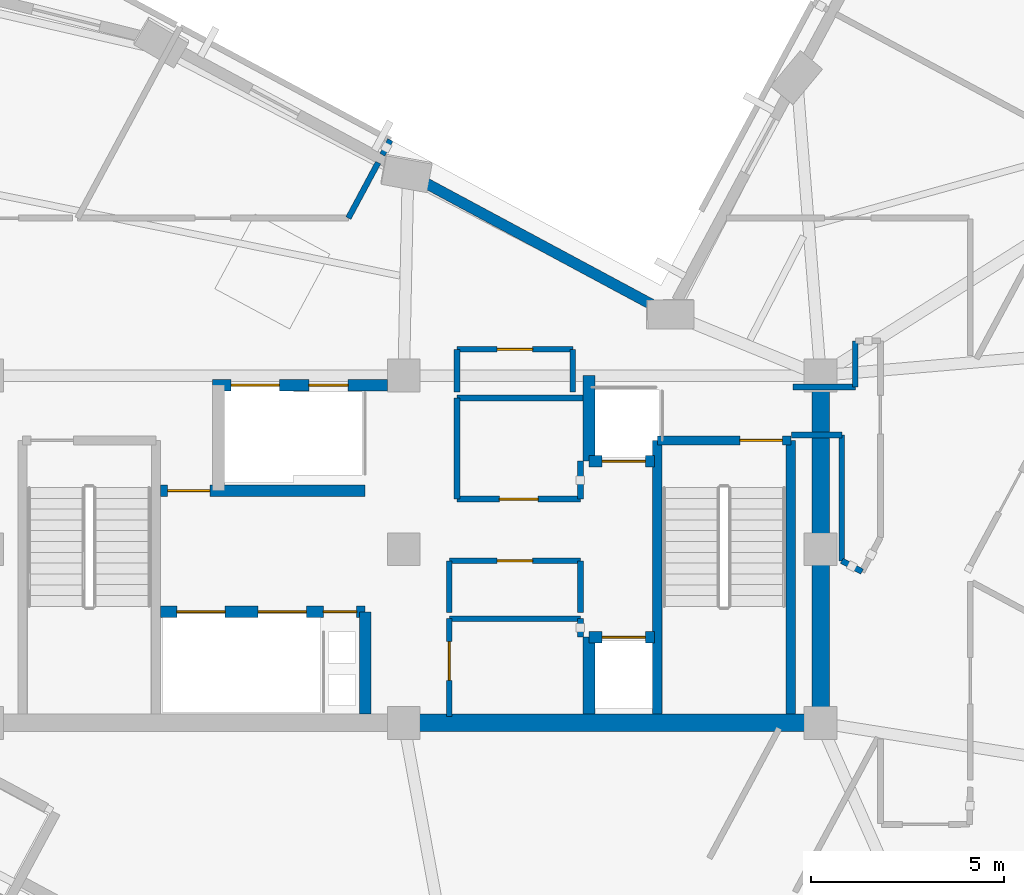
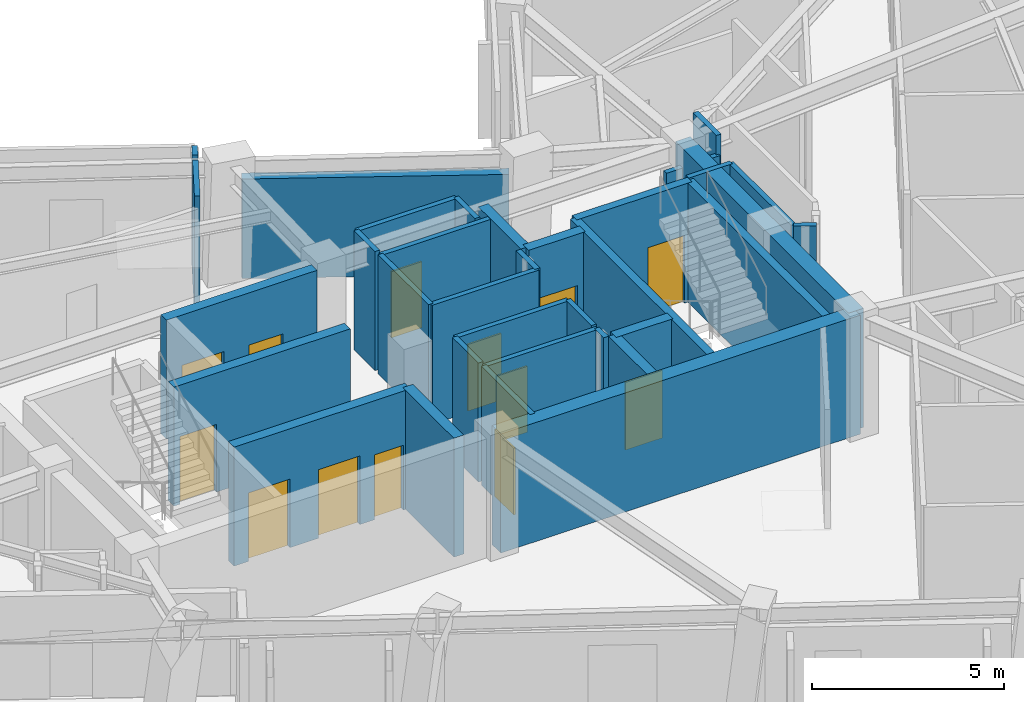
# One storey, part 7 of 14: 34 walls, 13 doors, 13 openings.
"""IFC4 building model written with IfcOpenShell, lengths in metres."""

from ifc_helpers import new_model, si_unit, direction, frame, frame_2d, origin, place, context, subcontext, project, spatial, rectangle, extrude, material, layer, layer_set, type_object, element, fill, save


model = new_model("IFC4")

# Units and contexts
model_context = context("Model", 3, precision=1e-05, world=origin(), true_north=direction((0.0, 1.0)))
body_context = subcontext(model_context, "Body", "Model", "MODEL_VIEW")
ifc_project = project(units=[si_unit("LENGTHUNIT", "METRE"), si_unit("AREAUNIT", "SQUARE_METRE"), si_unit("VOLUMEUNIT", "CUBIC_METRE"), si_unit("PLANEANGLEUNIT", "RADIAN"), si_unit("MASSUNIT", "GRAM", prefix="KILO")], contexts=[model_context])

# Site, building, storey
site_placement = place(None, origin())
site = spatial("IfcSite", under=ifc_project, at=site_placement, CompositionType="ELEMENT")
building_placement = place(site_placement, origin())
building = spatial("IfcBuilding", under=site, at=building_placement, Name="Gaonmaruhae Medical Tower", CompositionType="ELEMENT")
storey_placement = place(building_placement, frame((0.0, 0.0, 288.60009765625)))
storey = spatial("IfcBuildingStorey", under=building, at=storey_placement, Name="L69", CompositionType="ELEMENT", Elevation=288.60009765625)

# Walls
ifc_material_1 = material(Name="Concrete C50/60", Category="concrete")
ifc_layer_1 = layer(ifc_material_1, 0.449951171875)
ifc_layer_set_1 = layer_set([ifc_layer_1], Name="Concrete C50/60")
wall_type_1 = type_object("IfcWallType", Name="CW-450 Upper Core Shear Wall", PredefinedType="SHEAR", material=ifc_layer_set_1)
wall_1_placement = place(storey_placement, frame((24.800048828125, 7.800048828125, 0.0), z_axis=(0.0, 0.0, 1.0), x_axis=(1.0, 0.0, 0.0)))
element("IfcWall", 1, at=wall_1_placement, inside=storey, type_object=wall_type_1, Name="L69 Core Shear Wall CSW-S2", PredefinedType="SHEAR", context=body_context, shape_type="SweptSolid", body=[
    extrude(rectangle(XDim=10.800048828125, YDim=0.449951171875, at=frame_2d((5.39990234375, 0.0))), origin(), (0.0, 0.0, 1.0), 3.77978515625),
])
wall_2_placement = place(storey_placement, frame((35.60009765625, 7.800048828125, 0.0), z_axis=(0.0, 0.0, 1.0), x_axis=(0.0, 1.0, 0.0)))
element("IfcWall", 2, at=wall_2_placement, inside=storey, type_object=wall_type_1, Name="L69 Core Shear Wall CSW-E1", PredefinedType="SHEAR", context=body_context, shape_type="SweptSolid", body=[
    extrude(rectangle(XDim=9.0, YDim=0.449951171875, at=frame_2d((4.5, 0.0))), origin(), (0.0, 0.0, 1.0), 3.77978515625),
])
ifc_material_2 = material(Name="Precast concrete C45/55", Category="concrete")
ifc_layer_2 = layer(ifc_material_2, 0.280029296875)
ifc_layer_set_2 = layer_set([ifc_layer_2], Name="Precast concrete C45/55")
wall_type_2 = type_object("IfcWallType", Name="EW-280 Upper Precast Masonry-Frame Facade Wall", PredefinedType="SOLIDWALL", material=ifc_layer_set_2)
wall_3_placement = place(storey_placement, frame((25.25732421875, 21.846923828125, 0.0), z_axis=(0.0, 0.0, 1.0), x_axis=(0.880904495482, -0.473294062756, 0.0)))
element("IfcWall", 3, at=wall_3_placement, inside=storey, type_object=wall_type_2, Name="L69 Precast Masonry-Frame Wall KN01-NE01", PredefinedType="SOLIDWALL", context=body_context, shape_type="SweptSolid", body=[
    extrude(rectangle(XDim=6.9580078125, YDim=0.280029296875, at=frame_2d((3.47900390625, 0.0))), origin(), (0.0, 0.0, 1.0), 3.164794921875),
])

# Wall, opening, door
ifc_material_3 = material(Name="Gypsum board partition", Category="gypsum")
ifc_layer_3 = layer(ifc_material_3, 0.14990234375)
ifc_layer_set_3 = layer_set([ifc_layer_3], Name="Gypsum board partition")
wall_type_3 = type_object("IfcWallType", Name="PW-150 Rated Clinical Corridor Partition", PredefinedType="PARTITIONING", material=ifc_layer_set_3)
wall_4_placement = place(storey_placement, frame((25.97998046875, 7.9599609375, 0.0), z_axis=(0.0, 0.0, 1.0), x_axis=(0.0, 1.0, 0.0)))
wall_4 = element("IfcWall", 4, at=wall_4_placement, inside=storey, type_object=wall_type_3, Name="L69 Interior Partition L69-RCL1-1", PredefinedType="PARTITIONING", context=body_context, shape_type="SweptSolid", body=[
    extrude(rectangle(XDim=2.5400390625, YDim=0.14990234375, at=frame_2d((1.27001953125, 0.0))), origin(), (0.0, 0.0, 1.0), 3.77978515625),
])
opening_1_placement = place(wall_4_placement, frame((0.945068359375, 0.0, 0.0)))
opening_1 = element("IfcOpeningElement", 5, at=opening_1_placement, cuts=wall_4, Name="Opening CD-01", PredefinedType="OPENING", context=body_context, shape_type="SweptSolid", body=[
    extrude(rectangle(XDim=1.0, YDim=2.1201171875, at=frame_2d((0.5, 1.06005859375))), frame((0.0, 0.0849609375, 0.0), z_axis=(0.0, -1.0, 0.0), x_axis=(1.0, 0.0, 0.0)), (0.0, 0.0, 1.0), 0.169921875),
])
ifc_material_4 = material(Name="Antimicrobial laminate timber fire door", Category="wood")
door_type_1 = type_object("IfcDoorType", Name="CD-01 Consultation & Physician Office Door 1000x2120", OperationType="NOTDEFINED", PredefinedType="DOOR", material=ifc_material_4)
door_1_placement = place(opening_1_placement, origin())
door_1 = element("IfcDoor", 6, at=door_1_placement, inside=storey, type_object=door_type_1, Name="L69 Clinical Telemetry and Medication Room Door", OperationType="SINGLE_SWING_RIGHT", OverallHeight=2.1201171875, OverallWidth=1.0, PredefinedType="DOOR", context=body_context, shape_type="SweptSolid", body=[
    extrude(rectangle(XDim=1.0, YDim=2.1201171875, at=frame_2d((0.5, 1.06005859375))), frame((0.0, 0.02490234375, 0.0), z_axis=(0.0, -1.0, 0.0), x_axis=(1.0, 0.0, 0.0)), (0.0, 0.0, 1.0), 0.050048828125),
])
fill(opening_1, door_1)

# Walls
wall_5_placement = place(storey_placement, frame((25.97998046875, 10.5, 0.0), z_axis=(0.0, 0.0, 1.0), x_axis=(1.0, 0.0, 0.0)))
element("IfcWall", 7, at=wall_5_placement, inside=storey, type_object=wall_type_3, Name="L69 Interior Partition L69-RCL1-2", PredefinedType="PARTITIONING", context=body_context, shape_type="SweptSolid", body=[
    extrude(rectangle(XDim=3.39990234375, YDim=0.14990234375, at=frame_2d((1.699951171875, 0.0))), origin(), (0.0, 0.0, 1.0), 3.77978515625),
])
wall_6_placement = place(storey_placement, frame((29.3798828125, 10.5, 0.0), z_axis=(0.0, 0.0, 1.0), x_axis=(0.0, -1.0, 0.0)))
element("IfcWall", 8, at=wall_6_placement, inside=storey, type_object=wall_type_3, Name="L69 Interior Partition L69-RCL1-3", PredefinedType="PARTITIONING", context=body_context, shape_type="SweptSolid", body=[
    extrude(rectangle(XDim=0.47998046875, YDim=0.14990234375, at=frame_2d((0.239990234375, 0.0))), origin(), (0.0, 0.0, 1.0), 3.77978515625),
])
wall_7_placement = place(storey_placement, frame((25.97998046875, 10.659912109375, 0.0), z_axis=(0.0, 0.0, 1.0), x_axis=(0.0, 1.0, 0.0)))
element("IfcWall", 9, at=wall_7_placement, inside=storey, type_object=wall_type_3, Name="L69 Interior Partition L69-CS1-4", PredefinedType="PARTITIONING", context=body_context, shape_type="SweptSolid", body=[
    extrude(rectangle(XDim=1.340087890625, YDim=0.14990234375, at=frame_2d((0.669921875, 0.0))), origin(), (0.0, 0.0, 1.0), 3.77978515625),
])

# Wall, opening, door
wall_8_placement = place(storey_placement, frame((25.97998046875, 12.0, 0.0), z_axis=(0.0, 0.0, 1.0), x_axis=(1.0, 0.0, 0.0)))
wall_8 = element("IfcWall", 10, at=wall_8_placement, inside=storey, type_object=wall_type_3, Name="L69 Interior Partition L69-CS1-5", PredefinedType="PARTITIONING", context=body_context, shape_type="SweptSolid", body=[
    extrude(rectangle(XDim=3.39990234375, YDim=0.14990234375, at=frame_2d((1.699951171875, 0.0))), origin(), (0.0, 0.0, 1.0), 3.77978515625),
])
opening_2_placement = place(wall_8_placement, frame((1.239990234375, 0.0, 0.0)))
opening_2 = element("IfcOpeningElement", 11, at=opening_2_placement, cuts=wall_8, Name="Opening UD-01", PredefinedType="OPENING", context=body_context, shape_type="SweptSolid", body=[
    extrude(rectangle(XDim=0.919921875, YDim=2.10009765625, at=frame_2d((0.4599609375, 1.050048828125))), frame((0.0, 0.0849609375, 0.0), z_axis=(0.0, -1.0, 0.0), x_axis=(1.0, 0.0, 0.0)), (0.0, 0.0, 1.0), 0.169921875),
])
ifc_material_5 = material(Name="Powder-coated steel utility door", Category="steel")
door_type_2 = type_object("IfcDoorType", Name="UD-01 Toilet, Utility & Housekeeping Door 920x2100", OperationType="NOTDEFINED", PredefinedType="DOOR", material=ifc_material_5)
door_2_placement = place(opening_2_placement, origin())
door_2 = element("IfcDoor", 12, at=door_2_placement, inside=storey, type_object=door_type_2, Name="L69 Accessible Staff Toilet Door", OperationType="SINGLE_SWING_LEFT", OverallHeight=2.10009765625, OverallWidth=0.919921875, PredefinedType="DOOR", context=body_context, shape_type="SweptSolid", body=[
    extrude(rectangle(XDim=0.919921875, YDim=2.10009765625, at=frame_2d((0.4599609375, 1.050048828125))), frame((0.0, 0.02490234375, 0.0), z_axis=(0.0, -1.0, 0.0), x_axis=(1.0, 0.0, 0.0)), (0.0, 0.0, 1.0), 0.050048828125),
])
fill(opening_2, door_2)

# Walls
wall_9_placement = place(storey_placement, frame((29.3798828125, 12.0, 0.0), z_axis=(0.0, 0.0, 1.0), x_axis=(0.0, -1.0, 0.0)))
element("IfcWall", 13, at=wall_9_placement, inside=storey, type_object=wall_type_3, Name="L69 Interior Partition L69-CS1-6", PredefinedType="PARTITIONING", context=body_context, shape_type="SweptSolid", body=[
    extrude(rectangle(XDim=1.340087890625, YDim=0.14990234375, at=frame_2d((0.669921875, 0.0))), origin(), (0.0, 0.0, 1.0), 3.77978515625),
])
wall_10_placement = place(storey_placement, frame((26.179931640625, 13.60009765625, 0.0), z_axis=(0.0, 0.0, 1.0), x_axis=(0.0, 1.0, 0.0)))
element("IfcWall", 14, at=wall_10_placement, inside=storey, type_object=wall_type_3, Name="L69 Interior Partition L69-RCL2-7", PredefinedType="PARTITIONING", context=body_context, shape_type="SweptSolid", body=[
    extrude(rectangle(XDim=2.619873046875, YDim=0.14990234375, at=frame_2d((1.31005859375, 0.0))), origin(), (0.0, 0.0, 1.0), 3.77978515625),
])
wall_11_placement = place(storey_placement, frame((26.179931640625, 16.219970703125, 0.0), z_axis=(0.0, 0.0, 1.0), x_axis=(1.0, 0.0, 0.0)))
element("IfcWall", 15, at=wall_11_placement, inside=storey, type_object=wall_type_3, Name="L69 Interior Partition L69-RCL2-8", PredefinedType="PARTITIONING", context=body_context, shape_type="SweptSolid", body=[
    extrude(rectangle(XDim=3.260009765625, YDim=0.14990234375, at=frame_2d((1.6298828125, 0.0))), origin(), (0.0, 0.0, 1.0), 3.77978515625),
])
wall_12_placement = place(storey_placement, frame((29.3798828125, 14.580078125, 0.0), z_axis=(0.0, 0.0, 1.0), x_axis=(0.0, -1.0, 0.0)))
element("IfcWall", 16, at=wall_12_placement, inside=storey, type_object=wall_type_3, Name="L69 Interior Partition L69-RCL2-9", PredefinedType="PARTITIONING", context=body_context, shape_type="SweptSolid", body=[
    extrude(rectangle(XDim=0.97998046875, YDim=0.14990234375, at=frame_2d((0.489990234375, 0.0))), origin(), (0.0, 0.0, 1.0), 3.77978515625),
])

# Wall, opening, door
wall_13_placement = place(storey_placement, frame((29.3798828125, 13.60009765625, 0.0), z_axis=(0.0, 0.0, 1.0), x_axis=(-1.0, 0.0, 0.0)))
wall_13 = element("IfcWall", 17, at=wall_13_placement, inside=storey, type_object=wall_type_3, Name="L69 Interior Partition L69-RCL2-10", PredefinedType="PARTITIONING", context=body_context, shape_type="SweptSolid", body=[
    extrude(rectangle(XDim=3.199951171875, YDim=0.14990234375, at=frame_2d((1.60009765625, 0.0))), origin(), (0.0, 0.0, 1.0), 3.77978515625),
])
opening_3_placement = place(wall_13_placement, frame((1.10009765625, 0.0, 0.0)))
opening_3 = element("IfcOpeningElement", 18, at=opening_3_placement, cuts=wall_13, Name="Opening CD-01", PredefinedType="OPENING", context=body_context, shape_type="SweptSolid", body=[
    extrude(rectangle(XDim=1.0, YDim=2.1201171875, at=frame_2d((0.5, 1.06005859375))), frame((0.0, 0.0849609375, 0.0), z_axis=(0.0, -1.0, 0.0), x_axis=(1.0, 0.0, 0.0)), (0.0, 0.0, 1.0), 0.169921875),
])
door_3_placement = place(opening_3_placement, origin())
door_3 = element("IfcDoor", 19, at=door_3_placement, inside=storey, type_object=door_type_1, Name="L69 High-Zone Specialist Pharmacy Prep Room Door", OperationType="SINGLE_SWING_LEFT", OverallHeight=2.1201171875, OverallWidth=1.0, PredefinedType="DOOR", context=body_context, shape_type="SweptSolid", body=[
    extrude(rectangle(XDim=1.0, YDim=2.1201171875, at=frame_2d((0.5, 1.06005859375))), frame((0.0, 0.02490234375, 0.0), z_axis=(0.0, -1.0, 0.0), x_axis=(1.0, 0.0, 0.0)), (0.0, 0.0, 1.0), 0.050048828125),
])
fill(opening_3, door_3)

# Wall
wall_14_placement = place(storey_placement, frame((26.179931640625, 16.3798828125, 0.0), z_axis=(0.0, 0.0, 1.0), x_axis=(0.0, 1.0, 0.0)))
element("IfcWall", 20, at=wall_14_placement, inside=storey, type_object=wall_type_3, Name="L69 Interior Partition L69-CS2-11", PredefinedType="PARTITIONING", context=body_context, shape_type="SweptSolid", body=[
    extrude(rectangle(XDim=1.10009765625, YDim=0.14990234375, at=frame_2d((0.550048828125, 0.0))), origin(), (0.0, 0.0, 1.0), 3.77978515625),
])

# Wall, opening, door
wall_15_placement = place(storey_placement, frame((26.179931640625, 17.47998046875, 0.0), z_axis=(0.0, 0.0, 1.0), x_axis=(1.0, 0.0, 0.0)))
wall_15 = element("IfcWall", 21, at=wall_15_placement, inside=storey, type_object=wall_type_3, Name="L69 Interior Partition L69-CS2-12", PredefinedType="PARTITIONING", context=body_context, shape_type="SweptSolid", body=[
    extrude(rectangle(XDim=3.0, YDim=0.14990234375, at=frame_2d((1.5, 0.0))), origin(), (0.0, 0.0, 1.0), 3.77978515625),
])
opening_4_placement = place(wall_15_placement, frame((1.0400390625, 0.0, 0.0)))
opening_4 = element("IfcOpeningElement", 22, at=opening_4_placement, cuts=wall_15, Name="Opening UD-01", PredefinedType="OPENING", context=body_context, shape_type="SweptSolid", body=[
    extrude(rectangle(XDim=0.919921875, YDim=2.10009765625, at=frame_2d((0.4599609375, 1.050048828125))), frame((0.0, 0.0849609375, 0.0), z_axis=(0.0, -1.0, 0.0), x_axis=(1.0, 0.0, 0.0)), (0.0, 0.0, 1.0), 0.169921875),
])
door_4_placement = place(opening_4_placement, origin())
door_4 = element("IfcDoor", 23, at=door_4_placement, inside=storey, type_object=door_type_2, Name="L69 Biomedical Telemetry Closet Door", OperationType="SINGLE_SWING_LEFT", OverallHeight=2.10009765625, OverallWidth=0.919921875, PredefinedType="DOOR", context=body_context, shape_type="SweptSolid", body=[
    extrude(rectangle(XDim=0.919921875, YDim=2.10009765625, at=frame_2d((0.4599609375, 1.050048828125))), frame((0.0, 0.02490234375, 0.0), z_axis=(0.0, -1.0, 0.0), x_axis=(1.0, 0.0, 0.0)), (0.0, 0.0, 1.0), 0.050048828125),
])
fill(opening_4, door_4)

# Walls
wall_16_placement = place(storey_placement, frame((29.179931640625, 17.47998046875, 0.0), z_axis=(0.0, 0.0, 1.0), x_axis=(0.0, -1.0, 0.0)))
element("IfcWall", 24, at=wall_16_placement, inside=storey, type_object=wall_type_3, Name="L69 Interior Partition L69-CS2-13", PredefinedType="PARTITIONING", context=body_context, shape_type="SweptSolid", body=[
    extrude(rectangle(XDim=1.10009765625, YDim=0.14990234375, at=frame_2d((0.550048828125, 0.0))), origin(), (0.0, 0.0, 1.0), 3.77978515625),
])
wall_17_placement = place(storey_placement, frame((34.889892578125, 16.5, 0.0), z_axis=(0.0, 0.0, 1.0), x_axis=(1.0, 0.0, 0.0)))
element("IfcWall", 25, at=wall_17_placement, inside=storey, type_object=wall_type_3, Name="L69 Interior Partition L69-IE02-66", PredefinedType="PARTITIONING", context=body_context, shape_type="SweptSolid", body=[
    extrude(rectangle(XDim=1.610107421875, YDim=0.14990234375, at=frame_2d((0.80517578125, 0.0))), origin(), (0.0, 0.0, 1.0), 3.164794921875),
])
wall_18_placement = place(storey_placement, frame((36.5, 16.5, 0.0), z_axis=(0.0, 0.0, 1.0), x_axis=(0.0, 1.0, 0.0)))
element("IfcWall", 26, at=wall_18_placement, inside=storey, type_object=wall_type_3, Name="L69 Interior Partition L69-IE02-67", PredefinedType="PARTITIONING", context=body_context, shape_type="SweptSolid", body=[
    extrude(rectangle(XDim=1.199951171875, YDim=0.14990234375, at=frame_2d((0.60009765625, 0.0))), origin(), (0.0, 0.0, 1.0), 3.77978515625),
])
wall_19_placement = place(storey_placement, frame((36.675048828125, 11.718994140625, 0.0), z_axis=(0.0, 0.0, 1.0), x_axis=(-0.881022881887, 0.473073653454, 0.0)))
element("IfcWall", 27, at=wall_19_placement, inside=storey, type_object=wall_type_3, Name="L69 Interior Partition L69-IE02-71", PredefinedType="PARTITIONING", context=body_context, shape_type="SweptSolid", body=[
    extrude(rectangle(XDim=0.595947265625, YDim=0.14990234375, at=frame_2d((0.2978515625, 0.0))), origin(), (0.0, 0.0, 1.0), 3.77978515625),
])
wall_20_placement = place(storey_placement, frame((36.14990234375, 12.0009765625, 0.0), z_axis=(0.0, 0.0, 1.0), x_axis=(0.0, 1.0, 0.0)))
element("IfcWall", 28, at=wall_20_placement, inside=storey, type_object=wall_type_3, Name="L69 Interior Partition L69-IE02-72", PredefinedType="PARTITIONING", context=body_context, shape_type="SweptSolid", body=[
    extrude(rectangle(XDim=3.259033203125, YDim=0.14990234375, at=frame_2d((1.62939453125, 0.0))), origin(), (0.0, 0.0, 1.0), 3.77978515625),
])
wall_21_placement = place(storey_placement, frame((36.14990234375, 15.260009765625, 0.0), z_axis=(0.0, 0.0, 1.0), x_axis=(-1.0, 0.0, 0.0)))
element("IfcWall", 29, at=wall_21_placement, inside=storey, type_object=wall_type_3, Name="L69 Interior Partition L69-IE02-73", PredefinedType="PARTITIONING", context=body_context, shape_type="SweptSolid", body=[
    extrude(rectangle(XDim=1.2998046875, YDim=0.14990234375, at=frame_2d((0.64990234375, 0.0))), origin(), (0.0, 0.0, 1.0), 3.77978515625),
])
wall_22_placement = place(storey_placement, frame((24.452880859375, 22.904052734375, 0.0), z_axis=(0.0, 0.0, 1.0), x_axis=(-0.472361351168, -0.881404988597, 0.0)))
element("IfcWall", 30, at=wall_22_placement, inside=storey, type_object=wall_type_3, Name="L69 Interior Partition L69-IN02-92", PredefinedType="PARTITIONING", context=body_context, shape_type="SweptSolid", body=[
    extrude(rectangle(XDim=0.435791015625, YDim=0.14990234375, at=frame_2d((0.2177734375, 0.0))), origin(), (0.0, 0.0, 1.0), 3.77978515625),
])
wall_23_placement = place(storey_placement, frame((24.137939453125, 22.318115234375, 0.0), z_axis=(0.0, 0.0, 1.0), x_axis=(-0.472930998807, -0.881099466784, 0.0)))
element("IfcWall", 31, at=wall_23_placement, inside=storey, type_object=wall_type_3, Name="L69 Interior Partition L69-IN02-93", PredefinedType="PARTITIONING", context=body_context, shape_type="SweptSolid", body=[
    extrude(rectangle(XDim=1.63232421875, YDim=0.14990234375, at=frame_2d((0.816162109375, 0.0))), origin(), (0.0, 0.0, 1.0), 3.77978515625),
])

# Wall, opening, door
ifc_layer_4 = layer(ifc_material_1, 0.239990234375)
ifc_layer_set_4 = layer_set([ifc_layer_4], Name="Concrete C50/60")
wall_type_4 = type_object("IfcWallType", Name="SW-240 Dogleg Stair Tight Shaft Wall", PredefinedType="SOLIDWALL", material=ifc_layer_set_4)
wall_24_placement = place(storey_placement, frame((31.3701171875, 15.1201171875, 0.0), z_axis=(0.0, 0.0, 1.0), x_axis=(1.0, 0.0, 0.0)))
wall_24 = element("IfcWall", 32, at=wall_24_placement, inside=storey, type_object=wall_type_4, Name="L69 ST-02 Stair Shaft Wall SHW-ST-02-N", PredefinedType="SOLIDWALL", context=body_context, shape_type="SweptSolid", body=[
    extrude(rectangle(XDim=3.4599609375, YDim=0.239990234375, at=frame_2d((1.72998046875, 0.0))), origin(), (0.0, 0.0, 1.0), 3.77978515625),
])
opening_5_placement = place(wall_24_placement, frame((2.139892578125, 0.0, 0.0)))
opening_5 = element("IfcOpeningElement", 33, at=opening_5_placement, cuts=wall_24, Name="Opening FD-01", PredefinedType="OPENING", context=body_context, shape_type="SweptSolid", body=[
    extrude(rectangle(XDim=1.10009765625, YDim=2.14990234375, at=frame_2d((0.550048828125, 1.074951171875))), frame((0.0, 0.1298828125, 0.0), z_axis=(0.0, -1.0, 0.0), x_axis=(1.0, 0.0, 0.0)), (0.0, 0.0, 1.0), 0.260009765625),
])
ifc_material_6 = material(Name="Powder-coated steel fire door", Category="steel")
door_type_3 = type_object("IfcDoorType", Name="FD-01 Escape Stair Protected Fire Door 1100x2150", OperationType="NOTDEFINED", PredefinedType="DOOR", material=ifc_material_6)
door_5_placement = place(opening_5_placement, origin())
door_5 = element("IfcDoor", 34, at=door_5_placement, inside=storey, type_object=door_type_3, Name="L69 ST-02 Protected Escape Stair Door", OperationType="SINGLE_SWING_LEFT", OverallHeight=2.14990234375, OverallWidth=1.10009765625, PredefinedType="DOOR", context=body_context, shape_type="SweptSolid", body=[
    extrude(rectangle(XDim=1.10009765625, YDim=2.14990234375, at=frame_2d((0.550048828125, 1.074951171875))), frame((0.0, 0.02490234375, 0.0), z_axis=(0.0, -1.0, 0.0), x_axis=(1.0, 0.0, 0.0)), (0.0, 0.0, 1.0), 0.050048828125),
])
fill(opening_5, door_5)

# Walls
for number, where, z_axis, x_axis, name in (
    (35, (34.830078125, 15.1201171875, 0.0), (0.0, 0.0, 1.0), (0.0, -1.0, 0.0), "L69 ST-02 Stair Shaft Wall SHW-ST-02-E"),
    (36, (31.3701171875, 8.02490234375, 0.0), (0.0, 0.0, 1.0), (0.0, 1.0, 0.0), "L69 ST-02 Stair Shaft Wall SHW-ST-02-W"),
):
    element("IfcWall", number, at=place(storey_placement, frame(where, z_axis=z_axis, x_axis=x_axis)), inside=storey, type_object=wall_type_4, Name=name, PredefinedType="SOLIDWALL", context=body_context, shape_type="SweptSolid", body=[
        extrude(rectangle(XDim=7.09521484375, YDim=0.239990234375, at=frame_2d((3.547607421875, 0.0))), origin(), (0.0, 0.0, 1.0), 3.77978515625),
    ])

# Wall, openings, doors
ifc_layer_5 = layer(ifc_material_1, 0.300048828125)
ifc_layer_set_5 = layer_set([ifc_layer_5], Name="Concrete C50/60")
wall_type_5 = type_object("IfcWallType", Name="SW-300 Stair & Lift Hoistway Shaft Wall", PredefinedType="SOLIDWALL", material=ifc_layer_set_5)
wall_25_placement = place(storey_placement, frame((19.85009765625, 16.550048828125, 0.0), z_axis=(0.0, 0.0, 1.0), x_axis=(1.0, 0.0, 0.0)))
wall_25 = element("IfcWall", 37, at=wall_25_placement, inside=storey, type_object=wall_type_5, Name="L69 Core Shear Wall CSW-NB", PredefinedType="SOLIDWALL", context=body_context, shape_type="SweptSolid", body=[
    extrude(rectangle(XDim=4.52490234375, YDim=0.300048828125, at=frame_2d((2.262451171875, 0.0))), origin(), (0.0, 0.0, 1.0), 3.77978515625),
])
opening_6_placement = place(wall_25_placement, frame((0.47509765625, 0.0, 0.0)))
opening_6 = element("IfcOpeningElement", 38, at=opening_6_placement, cuts=wall_25, Name="Opening LD-F1", PredefinedType="OPENING", context=body_context, shape_type="SweptSolid", body=[
    extrude(rectangle(XDim=1.25, YDim=2.179931640625, at=frame_2d((0.625, 1.08984375))), frame((0.0, 0.16015625, 0.0), z_axis=(0.0, -1.0, 0.0), x_axis=(1.0, 0.0, 0.0)), (0.0, 0.0, 1.0), 0.320068359375),
])
opening_7_placement = place(wall_25_placement, frame((2.489990234375, 0.0, 0.0)))
opening_7 = element("IfcOpeningElement", 39, at=opening_7_placement, cuts=wall_25, Name="Opening LD-S1", PredefinedType="OPENING", context=body_context, shape_type="SweptSolid", body=[
    extrude(rectangle(XDim=1.02001953125, YDim=2.1201171875, at=frame_2d((0.510009765625, 1.06005859375))), frame((0.0, 0.16015625, 0.0), z_axis=(0.0, -1.0, 0.0), x_axis=(1.0, 0.0, 0.0)), (0.0, 0.0, 1.0), 0.320068359375),
])
ifc_material_7 = material(Name="Brushed stainless steel 316L landing door", Category="steel")
door_type_4 = type_object("IfcDoorType", Name="LD-F1 Firefighting & Bed Lift Sliding Landing Door 1250x2180", OperationType="NOTDEFINED", PredefinedType="DOOR", material=ifc_material_7)
door_6_placement = place(opening_6_placement, origin())
door_6 = element("IfcDoor", 40, at=door_6_placement, inside=storey, type_object=door_type_4, Name="L69 Service/Bed Lift Landing Door BDL-01", OperationType="DOUBLE_DOOR_SLIDING", OverallHeight=2.179931640625, OverallWidth=1.25, PredefinedType="DOOR", context=body_context, shape_type="SweptSolid", body=[
    extrude(rectangle(XDim=1.25, YDim=2.179931640625, at=frame_2d((0.625, 1.08984375))), frame((0.0, 0.02490234375, 0.0), z_axis=(0.0, -1.0, 0.0), x_axis=(1.0, 0.0, 0.0)), (0.0, 0.0, 1.0), 0.050048828125),
])
fill(opening_6, door_6)
ifc_material_8 = material(Name="Brushed stainless steel 304 landing door", Category="steel")
door_type_5 = type_object("IfcDoorType", Name="LD-S1 Service Lift Sliding Landing Door 1020x2120", OperationType="NOTDEFINED", PredefinedType="DOOR", material=ifc_material_8)
door_7_placement = place(opening_7_placement, origin())
door_7 = element("IfcDoor", 41, at=door_7_placement, inside=storey, type_object=door_type_5, Name="L69 Service/Bed Lift Landing Door SVL-01", OperationType="SLIDING_TO_LEFT", OverallHeight=2.1201171875, OverallWidth=1.02001953125, PredefinedType="DOOR", context=body_context, shape_type="SweptSolid", body=[
    extrude(rectangle(XDim=1.02001953125, YDim=2.1201171875, at=frame_2d((0.510009765625, 1.06005859375))), frame((0.0, 0.02490234375, 0.0), z_axis=(0.0, -1.0, 0.0), x_axis=(1.0, 0.0, 0.0)), (0.0, 0.0, 1.0), 0.050048828125),
])
fill(opening_7, door_7)

wall_26_placement = place(storey_placement, frame((18.5, 10.679931640625, 0.0), z_axis=(0.0, 0.0, 1.0), x_axis=(1.0, 0.0, 0.0)))
wall_26 = element("IfcWall", 42, at=wall_26_placement, inside=storey, type_object=wall_type_5, Name="L69 Shaft Enclosure Wall SHW-FFN", PredefinedType="SOLIDWALL", context=body_context, shape_type="SweptSolid", body=[
    extrude(rectangle(XDim=5.300048828125, YDim=0.300048828125, at=frame_2d((2.64990234375, 0.0))), origin(), (0.0, 0.0, 1.0), 3.77978515625),
])
opening_8_placement = place(wall_26_placement, frame((4.219970703125, 0.0, 0.0)))
opening_8 = element("IfcOpeningElement", 43, at=opening_8_placement, cuts=wall_26, Name="Opening AD-01", PredefinedType="OPENING", context=body_context, shape_type="SweptSolid", body=[
    extrude(rectangle(XDim=0.860107421875, YDim=2.06005859375, at=frame_2d((0.43017578125, 1.030029296875))), frame((0.0, 0.16015625, 0.0), z_axis=(0.0, -1.0, 0.0), x_axis=(1.0, 0.0, 0.0)), (0.0, 0.0, 1.0), 0.320068359375),
])
opening_9_placement = place(wall_26_placement, frame((0.425048828125, 0.0, 0.0)))
opening_9 = element("IfcOpeningElement", 44, at=opening_9_placement, cuts=wall_26, Name="Opening LD-F1", PredefinedType="OPENING", context=body_context, shape_type="SweptSolid", body=[
    extrude(rectangle(XDim=1.25, YDim=2.179931640625, at=frame_2d((0.625, 1.08984375))), frame((0.0, 0.16015625, 0.0), z_axis=(0.0, -1.0, 0.0), x_axis=(1.0, 0.0, 0.0)), (0.0, 0.0, 1.0), 0.320068359375),
])
opening_10_placement = place(wall_26_placement, frame((2.52490234375, 0.0, 0.0)))
opening_10 = element("IfcOpeningElement", 45, at=opening_10_placement, cuts=wall_26, Name="Opening LD-F1", PredefinedType="OPENING", context=body_context, shape_type="SweptSolid", body=[
    extrude(rectangle(XDim=1.25, YDim=2.179931640625, at=frame_2d((0.625, 1.08984375))), frame((0.0, 0.16015625, 0.0), z_axis=(0.0, -1.0, 0.0), x_axis=(1.0, 0.0, 0.0)), (0.0, 0.0, 1.0), 0.320068359375),
])
ifc_material_9 = material(Name="Powder-coated steel access door", Category="steel")
door_type_6 = type_object("IfcDoorType", Name="AD-01 Riser & Closet Access Fire Door 860x2060", OperationType="NOTDEFINED", PredefinedType="DOOR", material=ifc_material_9)
door_8_placement = place(opening_8_placement, origin())
door_8 = element("IfcDoor", 46, at=door_8_placement, inside=storey, type_object=door_type_6, Name="L69 Medical Gas and MEP Riser Access Door", OperationType="SINGLE_SWING_RIGHT", OverallHeight=2.06005859375, OverallWidth=0.860107421875, PredefinedType="DOOR", context=body_context, shape_type="SweptSolid", body=[
    extrude(rectangle(XDim=0.860107421875, YDim=2.06005859375, at=frame_2d((0.43017578125, 1.030029296875))), frame((0.0, 0.02490234375, 0.0), z_axis=(0.0, -1.0, 0.0), x_axis=(1.0, 0.0, 0.0)), (0.0, 0.0, 1.0), 0.050048828125),
])
fill(opening_8, door_8)
door_9_placement = place(opening_9_placement, origin())
door_9 = element("IfcDoor", 47, at=door_9_placement, inside=storey, type_object=door_type_4, Name="L69 Firefighting Lift Landing Door FFL-01", OperationType="DOUBLE_DOOR_SLIDING", OverallHeight=2.179931640625, OverallWidth=1.25, PredefinedType="DOOR", context=body_context, shape_type="SweptSolid", body=[
    extrude(rectangle(XDim=1.25, YDim=2.179931640625, at=frame_2d((0.625, 1.08984375))), frame((0.0, 0.02490234375, 0.0), z_axis=(0.0, -1.0, 0.0), x_axis=(1.0, 0.0, 0.0)), (0.0, 0.0, 1.0), 0.050048828125),
])
fill(opening_9, door_9)
door_10_placement = place(opening_10_placement, origin())
door_10 = element("IfcDoor", 48, at=door_10_placement, inside=storey, type_object=door_type_4, Name="L69 Firefighting Lift Landing Door FFL-02", OperationType="DOUBLE_DOOR_SLIDING", OverallHeight=2.179931640625, OverallWidth=1.25, PredefinedType="DOOR", context=body_context, shape_type="SweptSolid", body=[
    extrude(rectangle(XDim=1.25, YDim=2.179931640625, at=frame_2d((0.625, 1.08984375))), frame((0.0, 0.02490234375, 0.0), z_axis=(0.0, -1.0, 0.0), x_axis=(1.0, 0.0, 0.0)), (0.0, 0.0, 1.0), 0.050048828125),
])
fill(opening_10, door_10)

# Wall, opening, door
wall_27_placement = place(storey_placement, frame((18.5, 13.820068359375, 0.0), z_axis=(0.0, 0.0, 1.0), x_axis=(1.0, 0.0, 0.0)))
wall_27 = element("IfcWall", 49, at=wall_27_placement, inside=storey, type_object=wall_type_5, Name="L69 Shaft Enclosure Wall SHW-FFL", PredefinedType="SOLIDWALL", context=body_context, shape_type="SweptSolid", body=[
    extrude(rectangle(XDim=5.300048828125, YDim=0.300048828125, at=frame_2d((2.64990234375, 0.0))), origin(), (0.0, 0.0, 1.0), 3.77978515625),
])
opening_11_placement = place(wall_27_placement, frame((0.179931640625, 0.0, 0.0)))
opening_11 = element("IfcOpeningElement", 50, at=opening_11_placement, cuts=wall_27, Name="Opening FD-01", PredefinedType="OPENING", context=body_context, shape_type="SweptSolid", body=[
    extrude(rectangle(XDim=1.10009765625, YDim=2.14990234375, at=frame_2d((0.550048828125, 1.074951171875))), frame((0.0, 0.16015625, 0.0), z_axis=(0.0, -1.0, 0.0), x_axis=(1.0, 0.0, 0.0)), (0.0, 0.0, 1.0), 0.320068359375),
])
door_11_placement = place(opening_11_placement, origin())
door_11 = element("IfcDoor", 51, at=door_11_placement, inside=storey, type_object=door_type_3, Name="L69 Firefighting Lobby Smoke Door", OperationType="SINGLE_SWING_LEFT", OverallHeight=2.14990234375, OverallWidth=1.10009765625, PredefinedType="DOOR", context=body_context, shape_type="SweptSolid", body=[
    extrude(rectangle(XDim=1.10009765625, YDim=2.14990234375, at=frame_2d((0.550048828125, 1.074951171875))), frame((0.0, 0.02490234375, 0.0), z_axis=(0.0, -1.0, 0.0), x_axis=(1.0, 0.0, 0.0)), (0.0, 0.0, 1.0), 0.050048828125),
])
fill(opening_11, door_11)

# Wall
wall_28_placement = place(storey_placement, frame((23.800048828125, 8.02490234375, 0.0), z_axis=(0.0, 0.0, 1.0), x_axis=(0.0, 1.0, 0.0)))
element("IfcWall", 52, at=wall_28_placement, inside=storey, type_object=wall_type_5, Name="L69 Shaft Enclosure Wall SHW-FFE", PredefinedType="SOLIDWALL", context=body_context, shape_type="SweptSolid", body=[
    extrude(rectangle(XDim=2.655029296875, YDim=0.300048828125, at=frame_2d((1.32763671875, 0.0))), origin(), (0.0, 0.0, 1.0), 3.77978515625),
])

# Wall, opening, door
wall_29_placement = place(storey_placement, frame((29.60009765625, 10.02001953125, 0.0), z_axis=(0.0, 0.0, 1.0), x_axis=(1.0, 0.0, 0.0)))
wall_29 = element("IfcWall", 53, at=wall_29_placement, inside=storey, type_object=wall_type_5, Name="L69 Shaft Enclosure Wall SHW-PLS", PredefinedType="SOLIDWALL", context=body_context, shape_type="SweptSolid", body=[
    extrude(rectangle(XDim=1.699951171875, YDim=0.300048828125, at=frame_2d((0.85009765625, 0.0))), origin(), (0.0, 0.0, 1.0), 3.77978515625),
])
opening_12_placement = place(wall_29_placement, frame((0.340087890625, 0.0, 0.0)))
opening_12 = element("IfcOpeningElement", 54, at=opening_12_placement, cuts=wall_29, Name="Opening LD-P1", PredefinedType="OPENING", context=body_context, shape_type="SweptSolid", body=[
    extrude(rectangle(XDim=1.1201171875, YDim=2.14990234375, at=frame_2d((0.56005859375, 1.074951171875))), frame((0.0, 0.16015625, 0.0), z_axis=(0.0, -1.0, 0.0), x_axis=(1.0, 0.0, 0.0)), (0.0, 0.0, 1.0), 0.320068359375),
])
door_type_7 = type_object("IfcDoorType", Name="LD-P1 Passenger Lift Sliding Landing Door 1120x2150", OperationType="NOTDEFINED", PredefinedType="DOOR", material=ifc_material_8)
door_12_placement = place(opening_12_placement, origin())
door_12 = element("IfcDoor", 55, at=door_12_placement, inside=storey, type_object=door_type_7, Name="L69 Passenger Lift Landing Door PL-H1", OperationType="DOUBLE_DOOR_SLIDING", OverallHeight=2.14990234375, OverallWidth=1.1201171875, PredefinedType="DOOR", context=body_context, shape_type="SweptSolid", body=[
    extrude(rectangle(XDim=1.1201171875, YDim=2.14990234375, at=frame_2d((0.56005859375, 1.074951171875))), frame((0.0, 0.02490234375, 0.0), z_axis=(0.0, -1.0, 0.0), x_axis=(1.0, 0.0, 0.0)), (0.0, 0.0, 1.0), 0.050048828125),
])
fill(opening_12, door_12)

# Wall
wall_30_placement = place(storey_placement, frame((29.60009765625, 8.02490234375, 0.0), z_axis=(0.0, 0.0, 1.0), x_axis=(0.0, 1.0, 0.0)))
element("IfcWall", 56, at=wall_30_placement, inside=storey, type_object=wall_type_5, Name="L69 Shaft Enclosure Wall SHW-PLD1", PredefinedType="SOLIDWALL", context=body_context, shape_type="SweptSolid", body=[
    extrude(rectangle(XDim=1.9951171875, YDim=0.300048828125, at=frame_2d((0.99755859375, 0.0))), origin(), (0.0, 0.0, 1.0), 3.77978515625),
])

# Wall, opening, door
wall_31_placement = place(storey_placement, frame((29.60009765625, 14.580078125, 0.0), z_axis=(0.0, 0.0, 1.0), x_axis=(1.0, 0.0, 0.0)))
wall_31 = element("IfcWall", 57, at=wall_31_placement, inside=storey, type_object=wall_type_5, Name="L69 Shaft Enclosure Wall SHW-PLN", PredefinedType="SOLIDWALL", context=body_context, shape_type="SweptSolid", body=[
    extrude(rectangle(XDim=1.699951171875, YDim=0.300048828125, at=frame_2d((0.85009765625, 0.0))), origin(), (0.0, 0.0, 1.0), 3.77978515625),
])
opening_13_placement = place(wall_31_placement, frame((0.340087890625, 0.0, 0.0)))
opening_13 = element("IfcOpeningElement", 58, at=opening_13_placement, cuts=wall_31, Name="Opening LD-P1", PredefinedType="OPENING", context=body_context, shape_type="SweptSolid", body=[
    extrude(rectangle(XDim=1.1201171875, YDim=2.14990234375, at=frame_2d((0.56005859375, 1.074951171875))), frame((0.0, 0.16015625, 0.0), z_axis=(0.0, -1.0, 0.0), x_axis=(1.0, 0.0, 0.0)), (0.0, 0.0, 1.0), 0.320068359375),
])
door_13_placement = place(opening_13_placement, origin())
door_13 = element("IfcDoor", 59, at=door_13_placement, inside=storey, type_object=door_type_7, Name="L69 Passenger Lift Landing Door PL-H2", OperationType="DOUBLE_DOOR_SLIDING", OverallHeight=2.14990234375, OverallWidth=1.1201171875, PredefinedType="DOOR", context=body_context, shape_type="SweptSolid", body=[
    extrude(rectangle(XDim=1.1201171875, YDim=2.14990234375, at=frame_2d((0.56005859375, 1.074951171875))), frame((0.0, 0.02490234375, 0.0), z_axis=(0.0, -1.0, 0.0), x_axis=(1.0, 0.0, 0.0)), (0.0, 0.0, 1.0), 0.050048828125),
])
fill(opening_13, door_13)

# Wall
wall_32_placement = place(storey_placement, frame((29.60009765625, 14.580078125, 0.0), z_axis=(0.0, 0.0, 1.0), x_axis=(0.0, 1.0, 0.0)))
element("IfcWall", 60, at=wall_32_placement, inside=storey, type_object=wall_type_5, Name="L69 Shaft Enclosure Wall SHW-PLD2", PredefinedType="SOLIDWALL", context=body_context, shape_type="SweptSolid", body=[
    extrude(rectangle(XDim=2.219970703125, YDim=0.300048828125, at=frame_2d((1.10986328125, 0.0))), origin(), (0.0, 0.0, 1.0), 3.77978515625),
])

save(model, "model.ifc")
